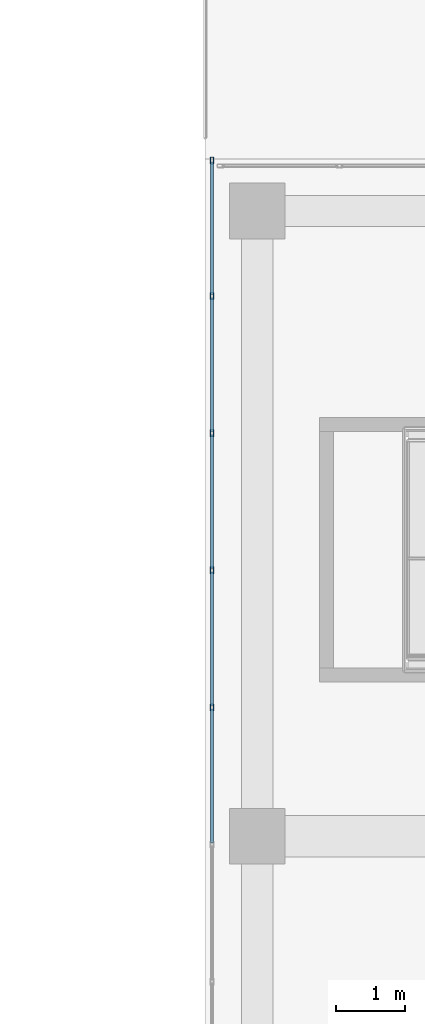
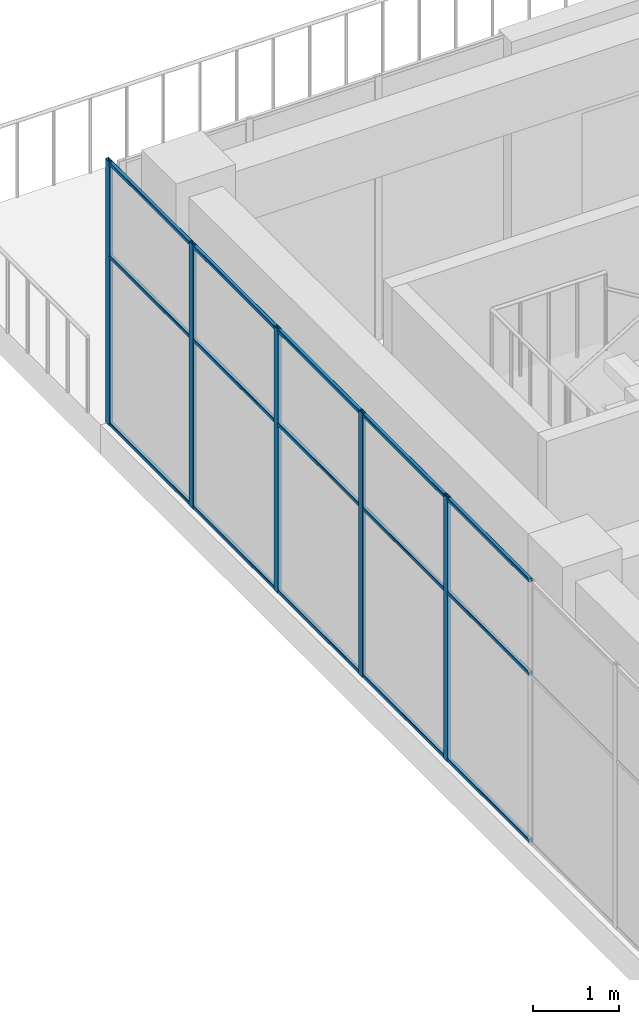
# One storey, part 43 of 81: 20 members, 1 element without a shape of its own.
"""IFC4 building model written with IfcOpenShell, lengths in metres."""

from ifc_helpers import new_model, si_unit, direction, frame, origin, origin_2d, place, context, subcontext, project, spatial, hollow_rectangle, extrude, material, layer, layer_set, material_profile, profile_set, type_object, element, aggregate, save


model = new_model("IFC4")

# Units and contexts
model_context = context("Model", 3, precision=1e-05, world=origin(), true_north=direction((0.0, 1.0)))
body_context = subcontext(model_context, "Body", "Model", "MODEL_VIEW")
ifc_project = project(units=[si_unit("LENGTHUNIT", "METRE"), si_unit("AREAUNIT", "SQUARE_METRE"), si_unit("VOLUMEUNIT", "CUBIC_METRE"), si_unit("PLANEANGLEUNIT", "RADIAN"), si_unit("MASSUNIT", "GRAM", prefix="KILO")], contexts=[model_context])

# Site, building, storey
site_placement = place(None, origin())
site = spatial("IfcSite", under=ifc_project, at=site_placement, CompositionType="ELEMENT")
building_placement = place(site_placement, origin())
building = spatial("IfcBuilding", under=site, at=building_placement, Name="Tuart Plaza Theatre", CompositionType="ELEMENT")
storey_placement = place(building_placement, frame((0.0, 0.0, 17.5)))
storey = spatial("IfcBuildingStorey", under=building, at=storey_placement, Name="L04", CompositionType="ELEMENT", Elevation=17.5)

# Curtain wall, members
ifc_material_1 = material(Name="Aluminium and glass", Category="aluminium")
ifc_layer = layer(ifc_material_1, 0.10009765625)
ifc_layer_set = layer_set([ifc_layer], Name="CURTAIN WALL 2000 module")
curtain_wall_type = type_object("IfcCurtainWallType", Name="CURTAIN WALL 2000 module", PredefinedType="NOTDEFINED", material=ifc_layer_set)
curtain_wall_placement = place(storey_placement, origin())
curtain_wall = element("IfcCurtainWall", 1, at=curtain_wall_placement, inside=storey, type_object=curtain_wall_type, Name="CW86", PredefinedType="NOTDEFINED")
ifc_material_2 = material(Name="Aluminium 6063-T5", Category="aluminium")
ifc_material_profile_1 = material_profile(ifc_material_2, hollow_rectangle(XDim=0.050048828125, YDim=0.10009765625, WallThickness=0.00390625, InnerFilletRadius=0.00390625, OuterFilletRadius=0.008056640625, at=origin_2d()), Name="RHS 100x50x4")
ifc_profile_set_1 = profile_set([ifc_material_profile_1], Name="Aluminium 6063-T5")
member_type_1 = type_object("IfcMemberType", Name="MULLION RHS 100x50x4", PredefinedType="MULLION", material=ifc_profile_set_1)
member_1_placement = place(storey_placement, frame((113.35009765625, 92.72509765625, 0.0), z_axis=(0.0, 0.0, 1.0), x_axis=(1.0, 0.0, 0.0)))
member_1 = element("IfcMember", 2, at=member_1_placement, type_object=member_type_1, Name="CW86 mullion 1", PredefinedType="MULLION", context=body_context, shape_type="SweptSolid", body=[
    extrude(hollow_rectangle(XDim=0.050048828125, YDim=0.10009765625, WallThickness=0.00390625, InnerFilletRadius=0.00390625, OuterFilletRadius=0.008056640625, at=origin_2d()), origin(), (0.0, 0.0, 1.0), 3.75),
])
member_2_placement = place(storey_placement, frame((113.35009765625, 90.7763671875, 0.0), z_axis=(0.0, 0.0, 1.0), x_axis=(1.0, 0.0, 0.0)))
member_2 = element("IfcMember", 3, at=member_2_placement, type_object=member_type_1, Name="CW86 mullion 2", PredefinedType="MULLION", context=body_context, shape_type="SweptSolid", body=[
    extrude(hollow_rectangle(XDim=0.050048828125, YDim=0.10009765625, WallThickness=0.00390625, InnerFilletRadius=0.00390625, OuterFilletRadius=0.008056640625, at=origin_2d()), origin(), (0.0, 0.0, 1.0), 3.75),
])
member_3_placement = place(storey_placement, frame((113.35009765625, 88.802734375, 0.0), z_axis=(0.0, 0.0, 1.0), x_axis=(1.0, 0.0, 0.0)))
member_3 = element("IfcMember", 4, at=member_3_placement, type_object=member_type_1, Name="CW86 mullion 3", PredefinedType="MULLION", context=body_context, shape_type="SweptSolid", body=[
    extrude(hollow_rectangle(XDim=0.050048828125, YDim=0.10009765625, WallThickness=0.00390625, InnerFilletRadius=0.00390625, OuterFilletRadius=0.008056640625, at=origin_2d()), origin(), (0.0, 0.0, 1.0), 3.75),
])
member_4_placement = place(storey_placement, frame((113.35009765625, 86.828857421875, 0.0), z_axis=(0.0, 0.0, 1.0), x_axis=(1.0, 0.0, 0.0)))
member_4 = element("IfcMember", 5, at=member_4_placement, type_object=member_type_1, Name="CW86 mullion 4", PredefinedType="MULLION", context=body_context, shape_type="SweptSolid", body=[
    extrude(hollow_rectangle(XDim=0.050048828125, YDim=0.10009765625, WallThickness=0.00390625, InnerFilletRadius=0.00390625, OuterFilletRadius=0.008056640625, at=origin_2d()), origin(), (0.0, 0.0, 1.0), 3.75),
])
member_5_placement = place(storey_placement, frame((113.35009765625, 84.855224609375, 0.0), z_axis=(0.0, 0.0, 1.0), x_axis=(1.0, 0.0, 0.0)))
member_5 = element("IfcMember", 6, at=member_5_placement, type_object=member_type_1, Name="CW86 mullion 5", PredefinedType="MULLION", context=body_context, shape_type="SweptSolid", body=[
    extrude(hollow_rectangle(XDim=0.050048828125, YDim=0.10009765625, WallThickness=0.00390625, InnerFilletRadius=0.00390625, OuterFilletRadius=0.008056640625, at=origin_2d()), origin(), (0.0, 0.0, 1.0), 3.75),
])
ifc_material_3 = material(Name="Aluminium 6063-T5", Category="aluminium")
ifc_material_profile_2 = material_profile(ifc_material_3, hollow_rectangle(XDim=0.050048828125, YDim=0.050048828125, WallThickness=0.00390625, InnerFilletRadius=0.00390625, OuterFilletRadius=0.008056640625, at=origin_2d()), Name="RHS 50x50x4")
ifc_profile_set_2 = profile_set([ifc_material_profile_2], Name="Aluminium 6063-T5")
member_type_2 = type_object("IfcMemberType", Name="TRANSOM RHS 50x50x4", PredefinedType="USERDEFINED", material=ifc_profile_set_2)
member_6_placement = place(storey_placement, frame((113.35009765625, 92.699951171875, 0.02490234375), z_axis=(0.0, -1.0, 0.0), x_axis=(1.0, 0.0, 0.0)))
member_6 = element("IfcMember", 7, at=member_6_placement, type_object=member_type_2, Name="CW86 transom 1.1", ObjectType="TRANSOM", PredefinedType="USERDEFINED", context=body_context, shape_type="SweptSolid", body=[
    extrude(hollow_rectangle(XDim=0.050048828125, YDim=0.050048828125, WallThickness=0.00390625, InnerFilletRadius=0.00390625, OuterFilletRadius=0.008056640625, at=origin_2d()), origin(), (0.0, 0.0, 1.0), 1.898681640625),
])
member_7_placement = place(storey_placement, frame((113.35009765625, 92.699951171875, 2.39990234375), z_axis=(0.0, -1.0, 0.0), x_axis=(1.0, 0.0, 0.0)))
member_7 = element("IfcMember", 8, at=member_7_placement, type_object=member_type_2, Name="CW86 transom 1.2", ObjectType="TRANSOM", PredefinedType="USERDEFINED", context=body_context, shape_type="SweptSolid", body=[
    extrude(hollow_rectangle(XDim=0.050048828125, YDim=0.050048828125, WallThickness=0.00390625, InnerFilletRadius=0.00390625, OuterFilletRadius=0.008056640625, at=origin_2d()), origin(), (0.0, 0.0, 1.0), 1.898681640625),
])
member_8_placement = place(storey_placement, frame((113.35009765625, 92.699951171875, 3.72509765625), z_axis=(0.0, -1.0, 0.0), x_axis=(1.0, 0.0, 0.0)))
member_8 = element("IfcMember", 9, at=member_8_placement, type_object=member_type_2, Name="CW86 transom 1.3", ObjectType="TRANSOM", PredefinedType="USERDEFINED", context=body_context, shape_type="SweptSolid", body=[
    extrude(hollow_rectangle(XDim=0.050048828125, YDim=0.050048828125, WallThickness=0.00390625, InnerFilletRadius=0.00390625, OuterFilletRadius=0.008056640625, at=origin_2d()), origin(), (0.0, 0.0, 1.0), 1.898681640625),
])
member_9_placement = place(storey_placement, frame((113.35009765625, 90.751220703125, 0.02490234375), z_axis=(0.0, -1.0, 0.0), x_axis=(1.0, 0.0, 0.0)))
member_9 = element("IfcMember", 10, at=member_9_placement, type_object=member_type_2, Name="CW86 transom 2.1", ObjectType="TRANSOM", PredefinedType="USERDEFINED", context=body_context, shape_type="SweptSolid", body=[
    extrude(hollow_rectangle(XDim=0.050048828125, YDim=0.050048828125, WallThickness=0.00390625, InnerFilletRadius=0.00390625, OuterFilletRadius=0.008056640625, at=origin_2d()), origin(), (0.0, 0.0, 1.0), 1.923583984375),
])
member_10_placement = place(storey_placement, frame((113.35009765625, 90.751220703125, 2.39990234375), z_axis=(0.0, -1.0, 0.0), x_axis=(1.0, 0.0, 0.0)))
member_10 = element("IfcMember", 11, at=member_10_placement, type_object=member_type_2, Name="CW86 transom 2.2", ObjectType="TRANSOM", PredefinedType="USERDEFINED", context=body_context, shape_type="SweptSolid", body=[
    extrude(hollow_rectangle(XDim=0.050048828125, YDim=0.050048828125, WallThickness=0.00390625, InnerFilletRadius=0.00390625, OuterFilletRadius=0.008056640625, at=origin_2d()), origin(), (0.0, 0.0, 1.0), 1.923583984375),
])
member_11_placement = place(storey_placement, frame((113.35009765625, 90.751220703125, 3.72509765625), z_axis=(0.0, -1.0, 0.0), x_axis=(1.0, 0.0, 0.0)))
member_11 = element("IfcMember", 12, at=member_11_placement, type_object=member_type_2, Name="CW86 transom 2.3", ObjectType="TRANSOM", PredefinedType="USERDEFINED", context=body_context, shape_type="SweptSolid", body=[
    extrude(hollow_rectangle(XDim=0.050048828125, YDim=0.050048828125, WallThickness=0.00390625, InnerFilletRadius=0.00390625, OuterFilletRadius=0.008056640625, at=origin_2d()), origin(), (0.0, 0.0, 1.0), 1.923583984375),
])
member_12_placement = place(storey_placement, frame((113.35009765625, 88.777587890625, 0.02490234375), z_axis=(0.0, -1.0, 0.0), x_axis=(1.0, 0.0, 0.0)))
member_12 = element("IfcMember", 13, at=member_12_placement, type_object=member_type_2, Name="CW86 transom 3.1", ObjectType="TRANSOM", PredefinedType="USERDEFINED", context=body_context, shape_type="SweptSolid", body=[
    extrude(hollow_rectangle(XDim=0.050048828125, YDim=0.050048828125, WallThickness=0.00390625, InnerFilletRadius=0.00390625, OuterFilletRadius=0.008056640625, at=origin_2d()), origin(), (0.0, 0.0, 1.0), 1.923583984375),
])
member_13_placement = place(storey_placement, frame((113.35009765625, 88.777587890625, 2.39990234375), z_axis=(0.0, -1.0, 0.0), x_axis=(1.0, 0.0, 0.0)))
member_13 = element("IfcMember", 14, at=member_13_placement, type_object=member_type_2, Name="CW86 transom 3.2", ObjectType="TRANSOM", PredefinedType="USERDEFINED", context=body_context, shape_type="SweptSolid", body=[
    extrude(hollow_rectangle(XDim=0.050048828125, YDim=0.050048828125, WallThickness=0.00390625, InnerFilletRadius=0.00390625, OuterFilletRadius=0.008056640625, at=origin_2d()), origin(), (0.0, 0.0, 1.0), 1.923583984375),
])
member_14_placement = place(storey_placement, frame((113.35009765625, 88.777587890625, 3.72509765625), z_axis=(0.0, -1.0, 0.0), x_axis=(1.0, 0.0, 0.0)))
member_14 = element("IfcMember", 15, at=member_14_placement, type_object=member_type_2, Name="CW86 transom 3.3", ObjectType="TRANSOM", PredefinedType="USERDEFINED", context=body_context, shape_type="SweptSolid", body=[
    extrude(hollow_rectangle(XDim=0.050048828125, YDim=0.050048828125, WallThickness=0.00390625, InnerFilletRadius=0.00390625, OuterFilletRadius=0.008056640625, at=origin_2d()), origin(), (0.0, 0.0, 1.0), 1.923583984375),
])
member_15_placement = place(storey_placement, frame((113.35009765625, 86.803955078125, 0.02490234375), z_axis=(0.0, -1.0, 0.0), x_axis=(1.0, 0.0, 0.0)))
member_15 = element("IfcMember", 16, at=member_15_placement, type_object=member_type_2, Name="CW86 transom 4.1", ObjectType="TRANSOM", PredefinedType="USERDEFINED", context=body_context, shape_type="SweptSolid", body=[
    extrude(hollow_rectangle(XDim=0.050048828125, YDim=0.050048828125, WallThickness=0.00390625, InnerFilletRadius=0.00390625, OuterFilletRadius=0.008056640625, at=origin_2d()), origin(), (0.0, 0.0, 1.0), 1.923583984375),
])
member_16_placement = place(storey_placement, frame((113.35009765625, 86.803955078125, 2.39990234375), z_axis=(0.0, -1.0, 0.0), x_axis=(1.0, 0.0, 0.0)))
member_16 = element("IfcMember", 17, at=member_16_placement, type_object=member_type_2, Name="CW86 transom 4.2", ObjectType="TRANSOM", PredefinedType="USERDEFINED", context=body_context, shape_type="SweptSolid", body=[
    extrude(hollow_rectangle(XDim=0.050048828125, YDim=0.050048828125, WallThickness=0.00390625, InnerFilletRadius=0.00390625, OuterFilletRadius=0.008056640625, at=origin_2d()), origin(), (0.0, 0.0, 1.0), 1.923583984375),
])
member_17_placement = place(storey_placement, frame((113.35009765625, 86.803955078125, 3.72509765625), z_axis=(0.0, -1.0, 0.0), x_axis=(1.0, 0.0, 0.0)))
member_17 = element("IfcMember", 18, at=member_17_placement, type_object=member_type_2, Name="CW86 transom 4.3", ObjectType="TRANSOM", PredefinedType="USERDEFINED", context=body_context, shape_type="SweptSolid", body=[
    extrude(hollow_rectangle(XDim=0.050048828125, YDim=0.050048828125, WallThickness=0.00390625, InnerFilletRadius=0.00390625, OuterFilletRadius=0.008056640625, at=origin_2d()), origin(), (0.0, 0.0, 1.0), 1.923583984375),
])
member_18_placement = place(storey_placement, frame((113.35009765625, 84.830322265625, 0.02490234375), z_axis=(0.0, -1.0, 0.0), x_axis=(1.0, 0.0, 0.0)))
member_18 = element("IfcMember", 19, at=member_18_placement, type_object=member_type_2, Name="CW86 transom 5.1", ObjectType="TRANSOM", PredefinedType="USERDEFINED", context=body_context, shape_type="SweptSolid", body=[
    extrude(hollow_rectangle(XDim=0.050048828125, YDim=0.050048828125, WallThickness=0.00390625, InnerFilletRadius=0.00390625, OuterFilletRadius=0.008056640625, at=origin_2d()), origin(), (0.0, 0.0, 1.0), 1.923828125),
])
member_19_placement = place(storey_placement, frame((113.35009765625, 84.830322265625, 2.39990234375), z_axis=(0.0, -1.0, 0.0), x_axis=(1.0, 0.0, 0.0)))
member_19 = element("IfcMember", 20, at=member_19_placement, type_object=member_type_2, Name="CW86 transom 5.2", ObjectType="TRANSOM", PredefinedType="USERDEFINED", context=body_context, shape_type="SweptSolid", body=[
    extrude(hollow_rectangle(XDim=0.050048828125, YDim=0.050048828125, WallThickness=0.00390625, InnerFilletRadius=0.00390625, OuterFilletRadius=0.008056640625, at=origin_2d()), origin(), (0.0, 0.0, 1.0), 1.923828125),
])
member_20_placement = place(storey_placement, frame((113.35009765625, 84.830322265625, 3.72509765625), z_axis=(0.0, -1.0, 0.0), x_axis=(1.0, 0.0, 0.0)))
member_20 = element("IfcMember", 21, at=member_20_placement, type_object=member_type_2, Name="CW86 transom 5.3", ObjectType="TRANSOM", PredefinedType="USERDEFINED", context=body_context, shape_type="SweptSolid", body=[
    extrude(hollow_rectangle(XDim=0.050048828125, YDim=0.050048828125, WallThickness=0.00390625, InnerFilletRadius=0.00390625, OuterFilletRadius=0.008056640625, at=origin_2d()), origin(), (0.0, 0.0, 1.0), 1.923828125),
])
aggregate(curtain_wall, [member_1, member_2, member_3, member_4, member_5, member_6, member_7, member_8, member_9, member_10, member_11, member_12, member_13, member_14, member_15, member_16, member_17, member_18, member_19, member_20])

save(model, "model.ifc")
